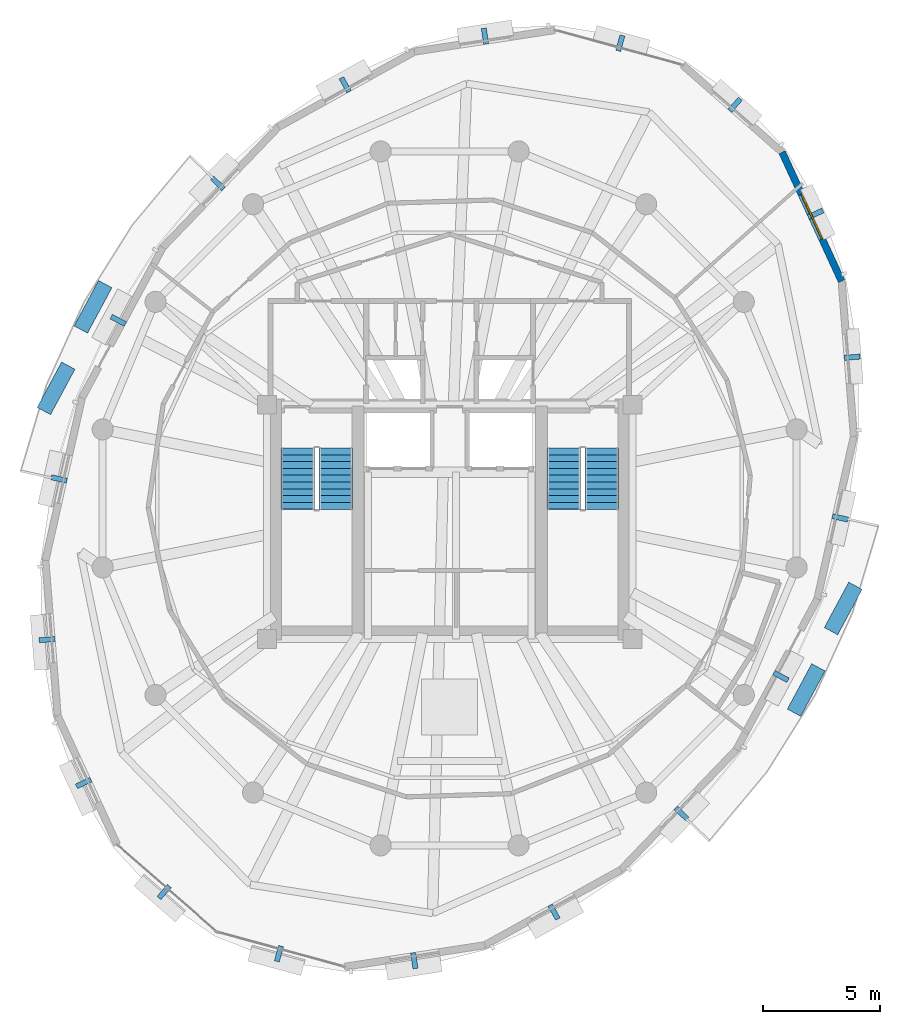
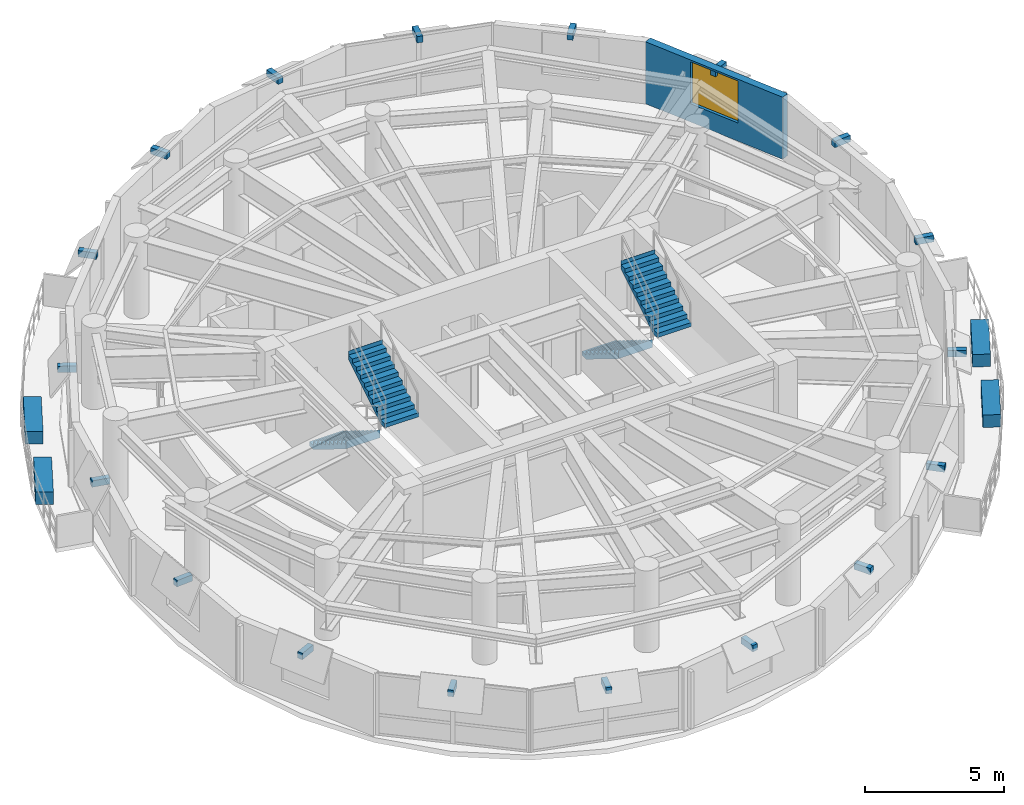
# One storey, part 9 of 11: 22 discrete accessories, 4 stair flights, 1 wall, 1 window, 1 opening, 2 elements without a shape of their own.
"""IFC4 building model written with IfcOpenShell, lengths in metres."""

from ifc_helpers import new_model, si_unit, direction, frame, frame_2d, origin, origin_2d, place, context, subcontext, project, spatial, polyline, rectangle, outline, extrude, material, layer, layer_set, type_object, element, fill, aggregate, save


model = new_model("IFC4")

# Units and contexts
model_context = context("Model", 3, precision=1e-05, world=origin(), true_north=direction((0.0, 1.0)))
body_context = subcontext(model_context, "Body", "Model", "MODEL_VIEW")
ifc_project = project(units=[si_unit("LENGTHUNIT", "METRE"), si_unit("AREAUNIT", "SQUARE_METRE"), si_unit("VOLUMEUNIT", "CUBIC_METRE"), si_unit("PLANEANGLEUNIT", "RADIAN"), si_unit("MASSUNIT", "GRAM", prefix="KILO"), si_unit("THERMODYNAMICTEMPERATUREUNIT", "KELVIN"), si_unit("POWERUNIT", "WATT")], contexts=[model_context])

# Site, building, storey
site_placement = place(None, origin())
site = spatial("IfcSite", under=ifc_project, at=site_placement, CompositionType="ELEMENT")
building_placement = place(site_placement, origin())
building = spatial("IfcBuilding", under=site, at=building_placement, Name="Ocrelia Relay Tower", CompositionType="ELEMENT")
storey_placement = place(building_placement, frame((0.0, 0.0, 284.39990234375)))
storey = spatial("IfcBuildingStorey", under=building, at=storey_placement, Name="L71", CompositionType="ELEMENT", Elevation=284.39990234375)

# Wall, opening, window
ifc_material_1 = material(Name="Precast concrete C40/50 with oxide terracotta", Category="masonry")
ifc_layer = layer(ifc_material_1, 0.300048828125, Name="Precast concrete C40/50 with oxide terracotta")
ifc_layer_set = layer_set([ifc_layer], Name="Precast concrete C40/50 with oxide terracotta")
wall_type = type_object("IfcWallType", Name="W-EXT-TERR-300", PredefinedType="SOLIDWALL", material=ifc_layer_set)
wall_placement = place(storey_placement, frame((50.73046875, 35.2724609375, 0.0), z_axis=(0.0, 0.0, 1.0), x_axis=(-0.418930475169, 0.908018313128, 0.0)))
wall = element("IfcWall", 1, at=wall_placement, inside=storey, type_object=wall_type, Name="L71 Oxide Terracotta Facade Wall 17", PredefinedType="SOLIDWALL", context=body_context, shape_type="SweptSolid", body=[
    extrude(rectangle(XDim=6.06201171875, YDim=0.300048828125, at=frame_2d((3.031005859375, 0.0))), origin(), (0.0, 0.0, 1.0), 2.72998046875),
])
opening_placement = place(wall_placement, frame((1.98095703125, 0.0, 0.800048828125)))
opening = element("IfcOpeningElement", 2, at=opening_placement, cuts=wall, Name="Opening W-07", PredefinedType="OPENING", context=body_context, shape_type="SweptSolid", body=[
    extrude(rectangle(XDim=2.10009765625, YDim=1.85009765625, at=frame_2d((1.050048828125, 0.925048828125))), frame((0.0, 0.16015625, 0.0), z_axis=(0.0, -1.0, 0.0), x_axis=(1.0, 0.0, 0.0)), (0.0, 0.0, 1.0), 0.320068359375),
])
ifc_material_2 = material(Name="Clear double-glazed low-E glass", Category="glass")
window_type = type_object("IfcWindowType", Name="WIN-Z4-2100x2200", PartitioningType="DOUBLE_PANEL_VERTICAL", PredefinedType="WINDOW", material=ifc_material_2)
window_placement = place(opening_placement, origin())
window = element("IfcWindow", 3, at=window_placement, inside=storey, type_object=window_type, Name="L71 Facade Module Window 17", OverallHeight=1.85009765625, OverallWidth=2.10009765625, PartitioningType="SINGLE_PANEL", PredefinedType="WINDOW", context=body_context, shape_type="SweptSolid", body=[
    extrude(rectangle(XDim=2.10009765625, YDim=1.85009765625, at=frame_2d((1.050048828125, 0.925048828125))), frame((0.0, 0.030029296875, 0.0), z_axis=(0.0, -1.0, 0.0), x_axis=(1.0, 0.0, 0.0)), (0.0, 0.0, 1.0), 0.06005859375),
])
fill(opening, window)

# Stair, stair flights
ifc_material_3 = material(Name="Concrete C50/60", Category="concrete")
stair_type = type_object("IfcStairType", Name="ST-DL-1420-R180", PredefinedType="HALF_TURN_STAIR", material=ifc_material_3)
stair_1_placement = place(storey_placement, origin())
stair_1 = element("IfcStair", 4, at=stair_1_placement, inside=storey, type_object=stair_type, Name="L71 West Core Exit Stair ST1", PredefinedType="HALF_TURN_STAIR")
stair_flight_type = type_object("IfcStairFlightType", Name="STF-DL-1420-R180", PredefinedType="STRAIGHT", material=ifc_material_3)
stair_flight_1_placement = place(storey_placement, frame((27.52001953125, 28.14990234375, 0.0), z_axis=(0.0, 0.0, 1.0), x_axis=(0.0, -1.0, 0.0)))
stair_flight_1 = element("IfcStairFlight", 5, at=stair_flight_1_placement, type_object=stair_flight_type, Name="ST1 flight 1", NumberOfRisers=10, NumberOfTreads=9, PredefinedType="STRAIGHT", RiserHeight=0.18, TreadLength=0.29, context=body_context, shape_type="SweptSolid", body=[
    extrude(outline(polyline([(-0.008056640625, 0.0), (-0.008056640625, 0.179931640625), (0.0, 0.179931640625), (0.2900390625, 0.179931640625), (0.2900390625, 0.360107421875), (0.580078125, 0.360107421875), (0.580078125, 0.5400390625), (0.8701171875, 0.5400390625), (0.8701171875, 0.719970703125), (1.159912109375, 0.719970703125), (1.159912109375, 0.89990234375), (1.449951171875, 0.89990234375), (1.449951171875, 1.080078125), (1.739990234375, 1.080078125), (1.739990234375, 1.260009765625), (2.030029296875, 1.260009765625), (2.030029296875, 1.43994140625), (2.320068359375, 1.43994140625), (2.320068359375, 1.6201171875), (2.610107421875, 1.6201171875), (2.610107421875, 1.800048828125), (2.617919921875, 1.800048828125), (2.617919921875, 1.443603515625), (0.2841796875, 0.0), (-0.008056640625, 0.0)])), frame((0.0, 0.7099609375, 0.0), z_axis=(0.0, -1.0, 0.0), x_axis=(1.0, 0.0, 0.0)), (0.0, 0.0, 1.0), 1.419921875),
])
stair_flight_2_placement = place(storey_placement, frame((29.139892578125, 25.5400390625, 1.800048828125), z_axis=(0.0, 0.0, 1.0), x_axis=(0.0, 1.0, 0.0)))
stair_flight_2 = element("IfcStairFlight", 6, at=stair_flight_2_placement, type_object=stair_flight_type, Name="ST1 flight 2", NumberOfRisers=10, NumberOfTreads=9, PredefinedType="STRAIGHT", RiserHeight=0.18, TreadLength=0.29, context=body_context, shape_type="SweptSolid", body=[
    extrude(outline(polyline([(-0.008056640625, 0.0), (-0.008056640625, 0.179931640625), (0.0, 0.179931640625), (0.2900390625, 0.179931640625), (0.2900390625, 0.360107421875), (0.580078125, 0.360107421875), (0.580078125, 0.5400390625), (0.8701171875, 0.5400390625), (0.8701171875, 0.719970703125), (1.159912109375, 0.719970703125), (1.159912109375, 0.89990234375), (1.449951171875, 0.89990234375), (1.449951171875, 1.080078125), (1.739990234375, 1.080078125), (1.739990234375, 1.260009765625), (2.030029296875, 1.260009765625), (2.030029296875, 1.43994140625), (2.320068359375, 1.43994140625), (2.320068359375, 1.6201171875), (2.610107421875, 1.6201171875), (2.610107421875, 1.800048828125), (2.617919921875, 1.800048828125), (2.617919921875, 1.443603515625), (0.2841796875, 0.0), (-0.008056640625, 0.0)])), frame((0.0, 0.7099609375, 0.0), z_axis=(0.0, -1.0, 0.0), x_axis=(1.0, 0.0, 0.0)), (0.0, 0.0, 1.0), 1.419921875),
])
aggregate(stair_1, [stair_flight_1, stair_flight_2])

stair_2_placement = place(storey_placement, origin())
stair_2 = element("IfcStair", 7, at=stair_2_placement, inside=storey, type_object=stair_type, Name="L71 East Core Exit Stair ST2", PredefinedType="HALF_TURN_STAIR")
stair_flight_3_placement = place(storey_placement, frame((38.8701171875, 28.14990234375, 0.0), z_axis=(0.0, 0.0, 1.0), x_axis=(0.0, -1.0, 0.0)))
stair_flight_3 = element("IfcStairFlight", 8, at=stair_flight_3_placement, type_object=stair_flight_type, Name="ST2 flight 1", NumberOfRisers=10, NumberOfTreads=9, PredefinedType="STRAIGHT", RiserHeight=0.18, TreadLength=0.29, context=body_context, shape_type="SweptSolid", body=[
    extrude(outline(polyline([(-0.008056640625, 0.0), (-0.008056640625, 0.179931640625), (0.0, 0.179931640625), (0.2900390625, 0.179931640625), (0.2900390625, 0.360107421875), (0.580078125, 0.360107421875), (0.580078125, 0.5400390625), (0.8701171875, 0.5400390625), (0.8701171875, 0.719970703125), (1.159912109375, 0.719970703125), (1.159912109375, 0.89990234375), (1.449951171875, 0.89990234375), (1.449951171875, 1.080078125), (1.739990234375, 1.080078125), (1.739990234375, 1.260009765625), (2.030029296875, 1.260009765625), (2.030029296875, 1.43994140625), (2.320068359375, 1.43994140625), (2.320068359375, 1.6201171875), (2.610107421875, 1.6201171875), (2.610107421875, 1.800048828125), (2.617919921875, 1.800048828125), (2.617919921875, 1.443603515625), (0.2841796875, 0.0), (-0.008056640625, 0.0)])), frame((0.0, 0.7099609375, 0.0), z_axis=(0.0, -1.0, 0.0), x_axis=(1.0, 0.0, 0.0)), (0.0, 0.0, 1.0), 1.419921875),
])
stair_flight_4_placement = place(storey_placement, frame((40.489990234375, 25.5400390625, 1.800048828125), z_axis=(0.0, 0.0, 1.0), x_axis=(0.0, 1.0, 0.0)))
stair_flight_4 = element("IfcStairFlight", 9, at=stair_flight_4_placement, type_object=stair_flight_type, Name="ST2 flight 2", NumberOfRisers=10, NumberOfTreads=9, PredefinedType="STRAIGHT", RiserHeight=0.18, TreadLength=0.29, context=body_context, shape_type="SweptSolid", body=[
    extrude(outline(polyline([(-0.008056640625, 0.0), (-0.008056640625, 0.179931640625), (0.0, 0.179931640625), (0.2900390625, 0.179931640625), (0.2900390625, 0.360107421875), (0.580078125, 0.360107421875), (0.580078125, 0.5400390625), (0.8701171875, 0.5400390625), (0.8701171875, 0.719970703125), (1.159912109375, 0.719970703125), (1.159912109375, 0.89990234375), (1.449951171875, 0.89990234375), (1.449951171875, 1.080078125), (1.739990234375, 1.080078125), (1.739990234375, 1.260009765625), (2.030029296875, 1.260009765625), (2.030029296875, 1.43994140625), (2.320068359375, 1.43994140625), (2.320068359375, 1.6201171875), (2.610107421875, 1.6201171875), (2.610107421875, 1.800048828125), (2.617919921875, 1.800048828125), (2.617919921875, 1.443603515625), (0.2841796875, 0.0), (-0.008056640625, 0.0)])), frame((0.0, 0.7099609375, 0.0), z_axis=(0.0, -1.0, 0.0), x_axis=(1.0, 0.0, 0.0)), (0.0, 0.0, 1.0), 1.419921875),
])
aggregate(stair_2, [stair_flight_3, stair_flight_4])

# Discrete accessories
ifc_material_4 = material(Name="Precast concrete C40/50 planter with highland greenery", Category="concrete")
discrete_accessory_type_1 = type_object("IfcDiscreteAccessoryType", Name="ACC-BALC-PLANTER", PredefinedType="USERDEFINED", material=ifc_material_4)
for number, where, z_axis, x_axis, name in (
    (10, (18.780517578125, 34.177734375, 0.0), (0.0, 0.0, 1.0), (0.473319039323, 0.880891075567, 0.0), "L71 Balcony Terracotta Planter with Greenery B1"),
    (11, (17.20166015625, 30.697509765625, 0.0), (0.0, 0.0, 1.0), (0.473319039323, 0.880891075567, 0.0), "L71 Balcony Terracotta Planter B1-2"),
    (12, (49.219482421875, 17.822265625, 0.0), (0.0, 0.0, 1.0), (-0.473319039323, -0.880891075567, 0.0), "L71 Balcony Terracotta Planter with Greenery B2"),
    (13, (50.79833984375, 21.302490234375, 0.0), (0.0, 0.0, 1.0), (-0.473319039323, -0.880891075567, 0.0), "L71 Balcony Terracotta Planter B2-2"),
):
    element("IfcDiscreteAccessory", number, at=place(storey_placement, frame(where, z_axis=z_axis, x_axis=x_axis)), inside=storey, type_object=discrete_accessory_type_1, Name=name, ObjectType="PLANTER", PredefinedType="USERDEFINED", context=body_context, shape_type="SweptSolid", body=[
        extrude(rectangle(XDim=2.199951171875, YDim=0.64990234375, at=origin_2d()), origin(), (0.0, 0.0, 1.0), 0.550048828125),
    ])
ifc_material_5 = material(Name="Steel S355", Category="steel")
discrete_accessory_type_2 = type_object("IfcDiscreteAccessoryType", Name="ACC-VISOR-BRACKET", PredefinedType="BRACKET", material=ifc_material_5)
for number, where, z_axis, x_axis, name in (
    (14, (41.284912109375, 45.431396484375, 2.43017578125), (0.0, 0.0, 1.0), (-0.96456996895, 0.263827168806, 0.0), "L71 Visor Mounting Bracket 01"),
    (15, (35.509033203125, 45.728759765625, 2.43017578125), (0.0, 0.0, 1.0), (-0.988410951389, -0.151801815449, 0.0), "L71 Visor Mounting Bracket 02"),
    (16, (29.543701171875, 43.653076171875, 2.43017578125), (0.0, 0.0, 1.0), (-0.874648895367, -0.484756959551, 0.0), "L71 Visor Mounting Bracket 03"),
    (17, (24.104736328125, 39.444091796875, 2.43017578125), (0.0, 0.0, 1.0), (-0.692662002718, -0.721262330911, 0.0), "L71 Visor Mounting Bracket 04"),
    (18, (19.85693359375, 33.599365234375, 2.43017578125), (0.0, 0.0, 1.0), (-0.473318776589, -0.880891216739, 0.0), "L71 Visor Mounting Bracket 05"),
    (19, (17.32763671875, 26.831298828125, 2.43017578125), (0.0, 0.0, 1.0), (-0.219135278273, -0.9756944859, 0.0), "L71 Visor Mounting Bracket 06"),
    (20, (16.820068359375, 19.97265625, 2.43017578125), (0.0, 0.0, 1.0), (0.078517453082, -0.996912739191, 0.0), "L71 Visor Mounting Bracket 07"),
    (21, (18.38134765625, 13.8525390625, 2.43017578125), (0.0, 0.0, 1.0), (0.418943101499, -0.908012487638, 0.0), "L71 Visor Mounting Bracket 08"),
    (22, (21.8173828125, 9.2001953125, 2.43017578125), (0.0, 0.0, 1.0), (0.752392477075, -0.658715082901, 0.0), "L71 Visor Mounting Bracket 09"),
    (23, (26.715087890625, 6.568603515625, 2.43017578125), (0.0, 0.0, 1.0), (0.96456996895, -0.263827168806, 0.0), "L71 Visor Mounting Bracket 10"),
    (24, (32.490966796875, 6.271240234375, 2.43017578125), (0.0, 0.0, 1.0), (0.988410951389, 0.151801815449, 0.0), "L71 Visor Mounting Bracket 11"),
    (25, (38.456298828125, 8.346923828125, 2.43017578125), (0.0, 0.0, 1.0), (0.874648895367, 0.484756959551, 0.0), "L71 Visor Mounting Bracket 12"),
    (26, (43.895263671875, 12.555908203125, 2.43017578125), (0.0, 0.0, 1.0), (0.692662002718, 0.721262330911, 0.0), "L71 Visor Mounting Bracket 13"),
    (27, (48.14306640625, 18.400634765625, 2.43017578125), (0.0, 0.0, 1.0), (0.473318776589, 0.880891216739, 0.0), "L71 Visor Mounting Bracket 14"),
    (28, (50.67236328125, 25.168701171875, 2.43017578125), (0.0, 0.0, 1.0), (0.219135278273, 0.9756944859, 0.0), "L71 Visor Mounting Bracket 15"),
    (29, (51.179931640625, 32.02734375, 2.43017578125), (0.0, 0.0, 1.0), (-0.078517453082, 0.996912739191, 0.0), "L71 Visor Mounting Bracket 16"),
    (30, (49.61865234375, 38.1474609375, 2.43017578125), (0.0, 0.0, 1.0), (-0.418943101499, 0.908012487638, 0.0), "L71 Visor Mounting Bracket 17"),
    (31, (46.1826171875, 42.7998046875, 2.43017578125), (0.0, 0.0, 1.0), (-0.752392477075, 0.658715082901, 0.0), "L71 Visor Mounting Bracket 18"),
):
    element("IfcDiscreteAccessory", number, at=place(storey_placement, frame(where, z_axis=z_axis, x_axis=x_axis)), inside=storey, type_object=discrete_accessory_type_2, Name=name, PredefinedType="BRACKET", context=body_context, shape_type="SweptSolid", body=[
        extrude(rectangle(XDim=0.219970703125, YDim=0.679931640625, at=origin_2d()), origin(), (0.0, 0.0, 1.0), 0.280029296875),
    ])

save(model, "model.ifc")
